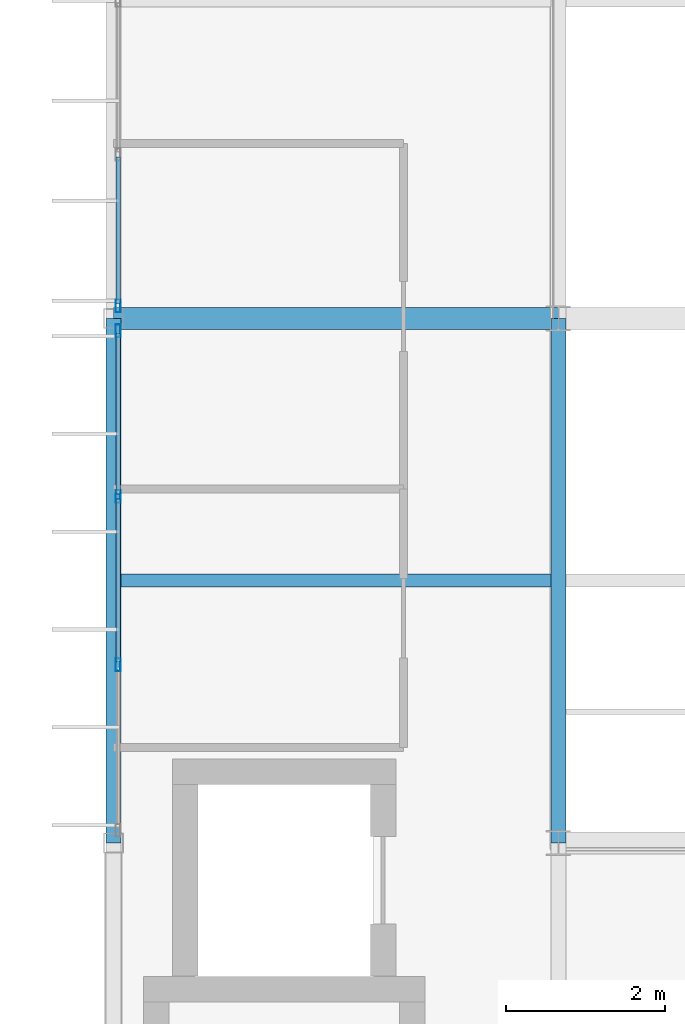
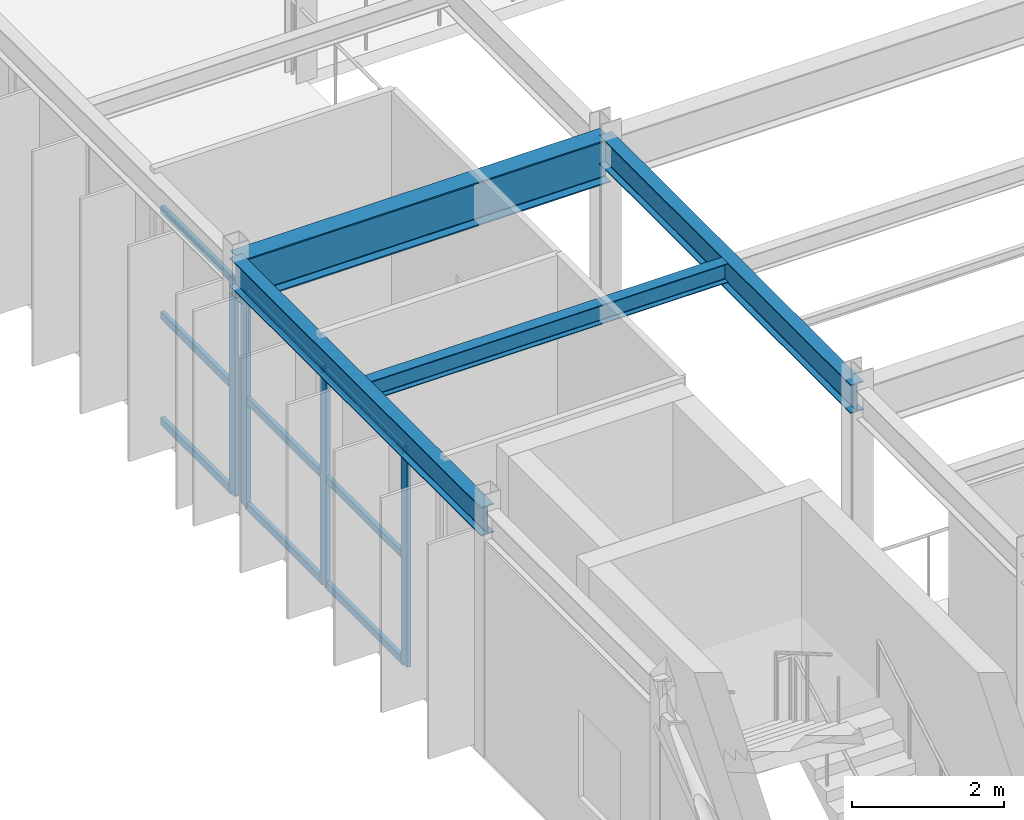
# One storey, part 34 of 148: 13 members, 4 beams, 2 elements without a shape of their own.
"""IFC4 building model written with IfcOpenShell, lengths in metres."""

from ifc_helpers import new_model, si_unit, direction, frame, origin, origin_2d, place, context, subcontext, project, spatial, hollow_rectangle, i_section, extrude, material, material_profile, profile_set, type_object, element, aggregate, save


model = new_model("IFC4")

# Units and contexts
model_context = context("Model", 3, precision=1e-05, world=origin(), true_north=direction((0.0, 1.0)))
body_context = subcontext(model_context, "Body", "Model", "MODEL_VIEW")
ifc_project = project(units=[si_unit("LENGTHUNIT", "METRE"), si_unit("AREAUNIT", "SQUARE_METRE"), si_unit("VOLUMEUNIT", "CUBIC_METRE"), si_unit("PLANEANGLEUNIT", "RADIAN"), si_unit("MASSUNIT", "GRAM", prefix="KILO")], contexts=[model_context])

# Site, building, storey
site_placement = place(None, origin())
site = spatial("IfcSite", under=ifc_project, at=site_placement, CompositionType="ELEMENT")
building_placement = place(site_placement, origin())
building = spatial("IfcBuilding", under=site, at=building_placement, Name="Karori Crest Natural Sciences Institute", CompositionType="ELEMENT")
storey_placement = place(building_placement, frame((0.0, 0.0, 4.89990234375)))
storey = spatial("IfcBuildingStorey", under=building, at=storey_placement, Name="L01", CompositionType="ELEMENT", Elevation=4.89990234375)

# Beams
ifc_material_1 = material(Name="Structural steel AS/NZS 3679.1 Grade 350", Category="steel")
ifc_material_profile_1 = material_profile(ifc_material_1, i_section(OverallWidth=0.27490234375, OverallDepth=0.699951171875, WebThickness=0.010009765625, FlangeThickness=0.02001953125, FilletRadius=0.013916015625, at=origin_2d()), Name="700WB150")
ifc_profile_set_1 = profile_set([ifc_material_profile_1], Name="Structural steel AS/NZS 3679.1 Grade 350")
beam_type_1 = type_object("IfcBeamType", Name="BT-03", PredefinedType="BEAM", material=ifc_profile_set_1)
beam_1_placement = place(storey_placement, frame((1.800048828125, 47.0, 3.570068359375), z_axis=(1.0, 0.0, 0.0), x_axis=(0.0, 1.0, 0.0)))
element("IfcBeam", 1, at=beam_1_placement, inside=storey, type_object=beam_type_1, Name="Beam B-1015", PredefinedType="BEAM", context=body_context, shape_type="SweptSolid", body=[
    extrude(i_section(OverallWidth=0.27490234375, OverallDepth=0.699951171875, WebThickness=0.010009765625, FlangeThickness=0.02001953125, FilletRadius=0.013916015625, at=origin_2d()), origin(), (0.0, 0.0, 1.0), 5.599853515625),
])
ifc_material_profile_2 = material_profile(ifc_material_1, i_section(OverallWidth=0.19091796875, OverallDepth=0.4599609375, WebThickness=0.010009765625, FlangeThickness=0.01611328125, FilletRadius=0.010986328125, at=origin_2d()), Name="460UB82.1")
ifc_profile_set_2 = profile_set([ifc_material_profile_2], Name="Structural steel AS/NZS 3679.1 Grade 350")
beam_type_2 = type_object("IfcBeamType", Name="BT-06", PredefinedType="BEAM", material=ifc_profile_set_2)
beam_2_placement = place(storey_placement, frame((7.39990234375, 40.39990234375, 3.690185546875), z_axis=(0.0, 1.0, 0.0), x_axis=(-1.0, 0.0, 0.0)))
element("IfcBeam", 2, at=beam_2_placement, inside=storey, type_object=beam_type_2, Name="Beam B-1037", PredefinedType="BEAM", context=body_context, shape_type="SweptSolid", body=[
    extrude(i_section(OverallWidth=0.19091796875, OverallDepth=0.4599609375, WebThickness=0.010009765625, FlangeThickness=0.01611328125, FilletRadius=0.010986328125, at=origin_2d()), origin(), (0.0, 0.0, 1.0), 6.60009765625),
])
ifc_material_profile_3 = material_profile(ifc_material_1, i_section(OverallWidth=0.19091796875, OverallDepth=0.4599609375, WebThickness=0.010009765625, FlangeThickness=0.01611328125, FilletRadius=0.010986328125, at=origin_2d()), Name="460UB82.1")
ifc_profile_set_3 = profile_set([ifc_material_profile_3], Name="Structural steel AS/NZS 3679.1 Grade 350")
beam_type_3 = type_object("IfcBeamType", Name="BT-06-EL", PredefinedType="BEAM", material=ifc_profile_set_3)
beam_3_placement = place(storey_placement, frame((1.800048828125, 40.39990234375, 3.690185546875), z_axis=(0.0, 1.0, 0.0), x_axis=(-1.0, 0.0, 0.0)))
element("IfcBeam", 3, at=beam_3_placement, inside=storey, type_object=beam_type_3, Name="Beam B-1030", PredefinedType="BEAM", context=body_context, shape_type="SweptSolid", body=[
    extrude(i_section(OverallWidth=0.19091796875, OverallDepth=0.4599609375, WebThickness=0.010009765625, FlangeThickness=0.01611328125, FilletRadius=0.010986328125, at=origin_2d()), origin(), (0.0, 0.0, 1.0), 6.60009765625),
])
ifc_material_profile_4 = material_profile(ifc_material_1, i_section(OverallWidth=0.166015625, OverallDepth=0.306884765625, WebThickness=0.006591796875, FlangeThickness=0.01171875, FilletRadius=0.010986328125, at=origin_2d()), Name="310UB46.2")
ifc_profile_set_4 = profile_set([ifc_material_profile_4], Name="Structural steel AS/NZS 3679.1 Grade 350")
beam_type_4 = type_object("IfcBeamType", Name="BT-09", PredefinedType="BEAM", material=ifc_profile_set_4)
beam_4_placement = place(storey_placement, frame((1.8955078125, 43.699951171875, 3.7666015625), z_axis=(1.0, 0.0, 0.0), x_axis=(0.0, 1.0, 0.0)))
element("IfcBeam", 4, at=beam_4_placement, inside=storey, type_object=beam_type_4, Name="Beam B-1056", PredefinedType="BEAM", context=body_context, shape_type="SweptSolid", body=[
    extrude(i_section(OverallWidth=0.166015625, OverallDepth=0.306884765625, WebThickness=0.006591796875, FlangeThickness=0.01171875, FilletRadius=0.010986328125, at=origin_2d()), origin(), (0.0, 0.0, 1.0), 5.408935546875),
])

# Curtain wall, members
ifc_material_2 = material(Name="Anodised architectural aluminium 6063-T6", Category="aluminium")
curtain_wall_type = type_object("IfcCurtainWallType", Name="CWT-17", PredefinedType="NOTDEFINED", material=ifc_material_2)
curtain_wall_1_placement = place(storey_placement, origin())
curtain_wall_1 = element("IfcCurtainWall", 5, at=curtain_wall_1_placement, inside=storey, type_object=curtain_wall_type, Name="Curtain wall CW-0262", PredefinedType="NOTDEFINED")
ifc_material_profile_5 = material_profile(ifc_material_2, hollow_rectangle(XDim=0.06494140625, YDim=0.159912109375, WallThickness=0.00390625, at=origin_2d()), Name="CWM160x65x4")
ifc_profile_set_5 = profile_set([ifc_material_profile_5], Name="Anodised architectural aluminium 6063-T6")
member_type_1 = type_object("IfcMemberType", Name="CWM-01", PredefinedType="MULLION", material=ifc_profile_set_5)
member_1_placement = place(storey_placement, frame((1.860107421875, 42.64111328125, 0.0), z_axis=(0.0, 0.0, 1.0), x_axis=(-1.0, 0.0, 0.0)))
member_1 = element("IfcMember", 6, at=member_1_placement, type_object=member_type_1, Name="CW-0262 mullion 2", PredefinedType="MULLION", context=body_context, shape_type="SweptSolid", body=[
    extrude(hollow_rectangle(XDim=0.06494140625, YDim=0.159912109375, WallThickness=0.00390625, at=origin_2d()), origin(), (0.0, 0.0, 1.0), 3.445068359375),
])
member_2_placement = place(storey_placement, frame((1.860107421875, 44.759033203125, 0.0), z_axis=(0.0, 0.0, 1.0), x_axis=(-1.0, 0.0, 0.0)))
member_2 = element("IfcMember", 7, at=member_2_placement, type_object=member_type_1, Name="CW-0262 mullion 3", PredefinedType="MULLION", context=body_context, shape_type="SweptSolid", body=[
    extrude(hollow_rectangle(XDim=0.06494140625, YDim=0.159912109375, WallThickness=0.00390625, at=origin_2d()), origin(), (0.0, 0.0, 1.0), 3.445068359375),
])
member_3_placement = place(storey_placement, frame((1.860107421875, 46.844482421875, 0.0), z_axis=(0.0, 0.0, 1.0), x_axis=(-1.0, 0.0, 0.0)))
member_3 = element("IfcMember", 8, at=member_3_placement, type_object=member_type_1, Name="CW-0262 mullion 4", PredefinedType="MULLION", context=body_context, shape_type="SweptSolid", body=[
    extrude(hollow_rectangle(XDim=0.06494140625, YDim=0.159912109375, WallThickness=0.00390625, at=origin_2d()), origin(), (0.0, 0.0, 1.0), 3.445068359375),
])

# Curtain wall, member
curtain_wall_2_placement = place(storey_placement, origin())
curtain_wall_2 = element("IfcCurtainWall", 9, at=curtain_wall_2_placement, inside=storey, type_object=curtain_wall_type, Name="Curtain wall CW-0263", PredefinedType="NOTDEFINED")
member_4_placement = place(storey_placement, frame((1.860107421875, 47.155517578125, 0.0), z_axis=(0.0, 0.0, 1.0), x_axis=(-1.0, 0.0, 0.0)))
member_4 = element("IfcMember", 10, at=member_4_placement, type_object=member_type_1, Name="CW-0263 mullion 1", PredefinedType="MULLION", context=body_context, shape_type="SweptSolid", body=[
    extrude(hollow_rectangle(XDim=0.06494140625, YDim=0.159912109375, WallThickness=0.00390625, at=origin_2d()), origin(), (0.0, 0.0, 1.0), 3.445068359375),
])

# Member
ifc_material_profile_6 = material_profile(ifc_material_2, hollow_rectangle(XDim=0.06005859375, YDim=0.1201171875, WallThickness=0.00390625, at=origin_2d()), Name="CWT120x60x4")
ifc_profile_set_6 = profile_set([ifc_material_profile_6], Name="Anodised architectural aluminium 6063-T6")
member_type_2 = type_object("IfcMemberType", Name="CWT-TR1", PredefinedType="USERDEFINED", material=ifc_profile_set_6)
member_5_placement = place(storey_placement, frame((1.860107421875, 42.673583984375, 0.030029296875), z_axis=(0.0, 1.0, 0.0), x_axis=(-1.0, 0.0, 0.0)))
member_5 = element("IfcMember", 11, at=member_5_placement, type_object=member_type_2, Name="CW-0262 transom 2.1", ObjectType="TRANSOM", PredefinedType="USERDEFINED", context=body_context, shape_type="SweptSolid", body=[
    extrude(hollow_rectangle(XDim=0.06005859375, YDim=0.1201171875, WallThickness=0.00390625, at=origin_2d()), origin(), (0.0, 0.0, 1.0), 2.052978515625),
])

member_6_placement = place(storey_placement, frame((1.860107421875, 42.673583984375, 1.72265625), z_axis=(0.0, 1.0, 0.0), x_axis=(-1.0, 0.0, 0.0)))
member_6 = element("IfcMember", 12, at=member_6_placement, type_object=member_type_2, Name="CW-0262 transom 2.2", ObjectType="TRANSOM", PredefinedType="USERDEFINED", context=body_context, shape_type="SweptSolid", body=[
    extrude(hollow_rectangle(XDim=0.06005859375, YDim=0.1201171875, WallThickness=0.00390625, at=origin_2d()), origin(), (0.0, 0.0, 1.0), 2.052978515625),
])

member_7_placement = place(storey_placement, frame((1.860107421875, 42.673583984375, 3.4150390625), z_axis=(0.0, 1.0, 0.0), x_axis=(-1.0, 0.0, 0.0)))
member_7 = element("IfcMember", 13, at=member_7_placement, type_object=member_type_2, Name="CW-0262 transom 2.3", ObjectType="TRANSOM", PredefinedType="USERDEFINED", context=body_context, shape_type="SweptSolid", body=[
    extrude(hollow_rectangle(XDim=0.06005859375, YDim=0.1201171875, WallThickness=0.00390625, at=origin_2d()), origin(), (0.0, 0.0, 1.0), 2.052978515625),
])

member_8_placement = place(storey_placement, frame((1.860107421875, 44.79150390625, 0.030029296875), z_axis=(0.0, 1.0, 0.0), x_axis=(-1.0, 0.0, 0.0)))
member_8 = element("IfcMember", 14, at=member_8_placement, type_object=member_type_2, Name="CW-0262 transom 3.1", ObjectType="TRANSOM", PredefinedType="USERDEFINED", context=body_context, shape_type="SweptSolid", body=[
    extrude(hollow_rectangle(XDim=0.06005859375, YDim=0.1201171875, WallThickness=0.00390625, at=origin_2d()), origin(), (0.0, 0.0, 1.0), 2.0205078125),
])

member_9_placement = place(storey_placement, frame((1.860107421875, 44.79150390625, 1.72265625), z_axis=(0.0, 1.0, 0.0), x_axis=(-1.0, 0.0, 0.0)))
member_9 = element("IfcMember", 15, at=member_9_placement, type_object=member_type_2, Name="CW-0262 transom 3.2", ObjectType="TRANSOM", PredefinedType="USERDEFINED", context=body_context, shape_type="SweptSolid", body=[
    extrude(hollow_rectangle(XDim=0.06005859375, YDim=0.1201171875, WallThickness=0.00390625, at=origin_2d()), origin(), (0.0, 0.0, 1.0), 2.0205078125),
])

member_10_placement = place(storey_placement, frame((1.860107421875, 44.79150390625, 3.4150390625), z_axis=(0.0, 1.0, 0.0), x_axis=(-1.0, 0.0, 0.0)))
member_10 = element("IfcMember", 16, at=member_10_placement, type_object=member_type_2, Name="CW-0262 transom 3.3", ObjectType="TRANSOM", PredefinedType="USERDEFINED", context=body_context, shape_type="SweptSolid", body=[
    extrude(hollow_rectangle(XDim=0.06005859375, YDim=0.1201171875, WallThickness=0.00390625, at=origin_2d()), origin(), (0.0, 0.0, 1.0), 2.0205078125),
])

aggregate(curtain_wall_1, [member_1, member_2, member_3, member_5, member_6, member_7, member_8, member_9, member_10])

member_11_placement = place(storey_placement, frame((1.860107421875, 47.18798828125, 0.030029296875), z_axis=(0.0, 1.0, 0.0), x_axis=(-1.0, 0.0, 0.0)))
member_11 = element("IfcMember", 17, at=member_11_placement, type_object=member_type_2, Name="CW-0263 transom 1.1", ObjectType="TRANSOM", PredefinedType="USERDEFINED", context=body_context, shape_type="SweptSolid", body=[
    extrude(hollow_rectangle(XDim=0.06005859375, YDim=0.1201171875, WallThickness=0.00390625, at=origin_2d()), origin(), (0.0, 0.0, 1.0), 1.841064453125),
])

member_12_placement = place(storey_placement, frame((1.860107421875, 47.18798828125, 1.72265625), z_axis=(0.0, 1.0, 0.0), x_axis=(-1.0, 0.0, 0.0)))
member_12 = element("IfcMember", 18, at=member_12_placement, type_object=member_type_2, Name="CW-0263 transom 1.2", ObjectType="TRANSOM", PredefinedType="USERDEFINED", context=body_context, shape_type="SweptSolid", body=[
    extrude(hollow_rectangle(XDim=0.06005859375, YDim=0.1201171875, WallThickness=0.00390625, at=origin_2d()), origin(), (0.0, 0.0, 1.0), 1.841064453125),
])

member_13_placement = place(storey_placement, frame((1.860107421875, 47.18798828125, 3.4150390625), z_axis=(0.0, 1.0, 0.0), x_axis=(-1.0, 0.0, 0.0)))
member_13 = element("IfcMember", 19, at=member_13_placement, type_object=member_type_2, Name="CW-0263 transom 1.3", ObjectType="TRANSOM", PredefinedType="USERDEFINED", context=body_context, shape_type="SweptSolid", body=[
    extrude(hollow_rectangle(XDim=0.06005859375, YDim=0.1201171875, WallThickness=0.00390625, at=origin_2d()), origin(), (0.0, 0.0, 1.0), 1.841064453125),
])

aggregate(curtain_wall_2, [member_4, member_11, member_12, member_13])

save(model, "model.ifc")
